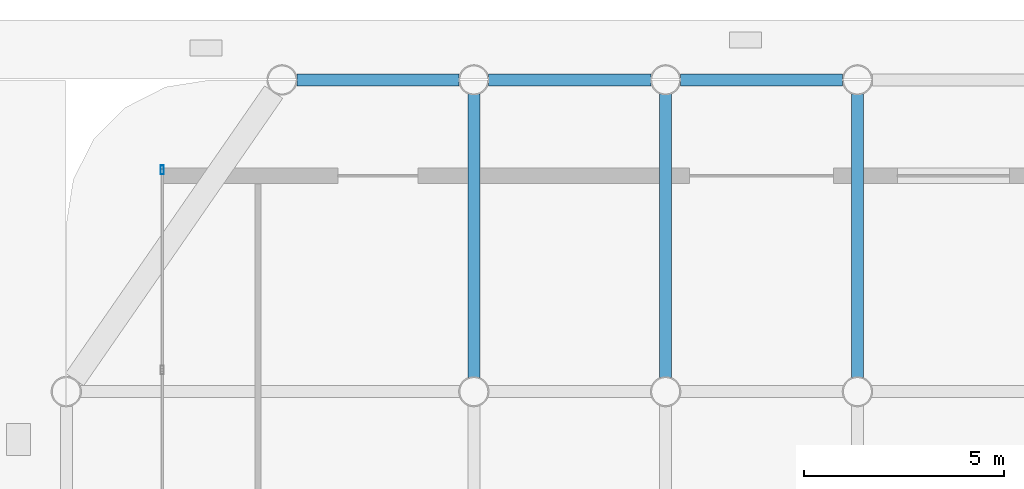
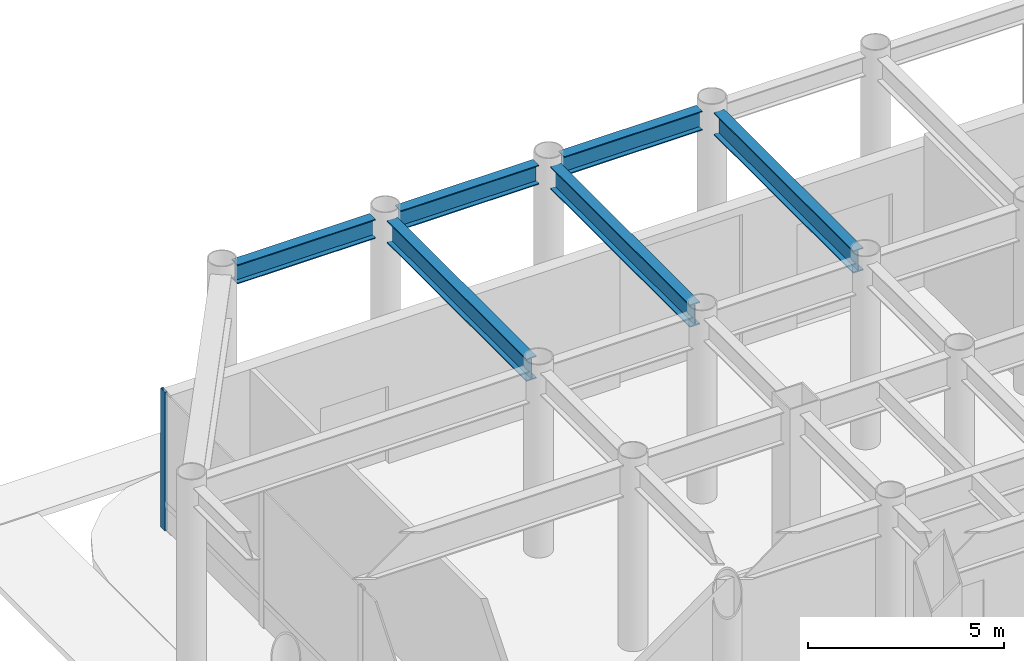
# One storey, part 12 of 23: 6 beams, 1 member, 1 element without a shape of its own.
"""IFC4 building model written with IfcOpenShell, lengths in metres."""

from ifc_helpers import new_model, si_unit, direction, frame, origin, origin_2d, place, context, subcontext, project, spatial, hollow_rectangle, i_section, extrude, material, layer, layer_set, material_profile, profile_set, type_object, element, aggregate, save


model = new_model("IFC4")

# Units and contexts
model_context = context("Model", 3, precision=1e-05, world=origin(), true_north=direction((0.0, 1.0)))
body_context = subcontext(model_context, "Body", "Model", "MODEL_VIEW")
ifc_project = project(units=[si_unit("LENGTHUNIT", "METRE"), si_unit("AREAUNIT", "SQUARE_METRE"), si_unit("VOLUMEUNIT", "CUBIC_METRE"), si_unit("PLANEANGLEUNIT", "RADIAN"), si_unit("MASSUNIT", "GRAM", prefix="KILO")], contexts=[model_context])

# Site, building, storey
site_placement = place(None, origin())
site = spatial("IfcSite", under=ifc_project, at=site_placement, CompositionType="ELEMENT")
building_placement = place(site_placement, origin())
building = spatial("IfcBuilding", under=site, at=building_placement, Name="Kallvorn Hotel Tower", CompositionType="ELEMENT")
storey_placement = place(building_placement, origin())
storey = spatial("IfcBuildingStorey", under=building, at=storey_placement, Name="L00", CompositionType="ELEMENT", Elevation=0.0)

# Beams
ifc_material_1 = material(Name="Structural steel S355JR", Category="steel")
ifc_material_profile_1 = material_profile(ifc_material_1, i_section(OverallWidth=0.300048828125, OverallDepth=0.60009765625, WebThickness=0.015380859375, FlangeThickness=0.030029296875, at=origin_2d()), Name="HE 600 B")
ifc_profile_set_1 = profile_set([ifc_material_profile_1], Name="Structural steel S355JR")
beam_type_1 = type_object("IfcBeamType", Name="BM_HE600B", PredefinedType="SPANDREL", material=ifc_profile_set_1)
beam_placement = place(storey_placement, frame((-33.22900390625, 27.0, 5.449951171875), z_axis=(1.0, 0.0, 0.0), x_axis=(0.0, 1.0, 0.0)))
element("IfcBeam", 1, at=beam_placement, inside=storey, type_object=beam_type_1, Name="L01 Perimeter Spandrel 186", PredefinedType="SPANDREL", context=body_context, shape_type="SweptSolid", body=[
    extrude(i_section(OverallWidth=0.300048828125, OverallDepth=0.60009765625, WebThickness=0.015380859375, FlangeThickness=0.030029296875, at=origin_2d()), origin(), (0.0, 0.0, 1.0), 4.05810546875),
])
for number, where, z_axis, x_axis, name in (
    (2, (-28.428955078125, 27.0, 5.449951171875), (1.0, 0.0, 0.0), (0.0, 1.0, 0.0), "L01 Perimeter Spandrel 187"),
    (3, (-23.62890625, 27.0, 5.449951171875), (1.0, 0.0, 0.0), (0.0, 1.0, 0.0), "L01 Perimeter Spandrel 188"),
):
    element("IfcBeam", number, at=place(storey_placement, frame(where, z_axis=z_axis, x_axis=x_axis)), inside=storey, type_object=beam_type_1, Name=name, PredefinedType="SPANDREL", context=body_context, shape_type="SweptSolid", body=[
        extrude(i_section(OverallWidth=0.300048828125, OverallDepth=0.60009765625, WebThickness=0.015380859375, FlangeThickness=0.030029296875, at=origin_2d()), origin(), (0.0, 0.0, 1.0), 4.057861328125),
    ])
ifc_material_2 = material(Name="Structural steel S355JR", Category="steel")
ifc_material_profile_2 = material_profile(ifc_material_2, i_section(OverallWidth=0.300048828125, OverallDepth=0.699951171875, WebThickness=0.01708984375, FlangeThickness=0.031982421875, at=origin_2d()), Name="HE 700 B")
ifc_profile_set_2 = profile_set([ifc_material_profile_2], Name="Structural steel S355JR")
beam_type_2 = type_object("IfcBeamType", Name="BM_HE700B", PredefinedType="BEAM", material=ifc_profile_set_2)
for number, where, z_axis, x_axis, name in (
    (4, (-28.800048828125, 19.555908203125, 5.39990234375), (0.0, 1.0, 0.0), (-1.0, 0.0, 0.0), "L01 Primary Y-Girder 89"),
    (5, (-24.0, 19.555908203125, 5.39990234375), (0.0, 1.0, 0.0), (-1.0, 0.0, 0.0), "L01 Primary Y-Girder 97"),
    (6, (-19.199951171875, 19.555908203125, 5.39990234375), (0.0, 1.0, 0.0), (-1.0, 0.0, 0.0), "L01 Primary Y-Girder 107"),
):
    element("IfcBeam", number, at=place(storey_placement, frame(where, z_axis=z_axis, x_axis=x_axis)), inside=storey, type_object=beam_type_2, Name=name, PredefinedType="BEAM", context=body_context, shape_type="SweptSolid", body=[
        extrude(i_section(OverallWidth=0.300048828125, OverallDepth=0.699951171875, WebThickness=0.01708984375, FlangeThickness=0.031982421875, at=origin_2d()), origin(), (0.0, 0.0, 1.0), 7.088134765625),
    ])

# Curtain wall, member
ifc_material_3 = material(Name="Thermally broken black-anodised aluminium AA 6063-T6", Category="aluminium")
ifc_layer = layer(ifc_material_3, 0.239990234375)
ifc_layer_set = layer_set([ifc_layer], Name="CW_SYS_1_PODIUM_LOW")
curtain_wall_type = type_object("IfcCurtainWallType", Name="CW_SYS_1_PODIUM_LOW", PredefinedType="USERDEFINED", material=ifc_layer_set)
curtain_wall_placement = place(storey_placement, origin())
curtain_wall = element("IfcCurtainWall", 7, at=curtain_wall_placement, inside=storey, type_object=curtain_wall_type, Name="L00 Dark-Glass Curtain Wall CW-L00-W2", ObjectType="UNITISED CURTAIN WALL", PredefinedType="USERDEFINED")
ifc_material_4 = material(Name="Thermally broken black-anodised aluminium AA 6063-T6", Category="aluminium")
ifc_material_profile_3 = material_profile(ifc_material_4, hollow_rectangle(XDim=0.080078125, YDim=0.219970703125, WallThickness=0.0048828125, at=origin_2d()), Name="MUL 220x80")
ifc_profile_set_3 = profile_set([ifc_material_profile_3], Name="Thermally broken black-anodised aluminium AA 6063-T6")
member_type = type_object("IfcMemberType", Name="CW_MULLION_220x80", PredefinedType="MULLION", material=ifc_profile_set_3)
member_placement = place(storey_placement, frame((-36.60009765625, 24.75, 0.02001953125), z_axis=(0.0, 0.0, 1.0), x_axis=(1.0, 0.0, 0.0)))
member = element("IfcMember", 8, at=member_placement, type_object=member_type, Name="CW-L00-W2 Mullion 03", PredefinedType="MULLION", context=body_context, shape_type="SweptSolid", body=[
    extrude(hollow_rectangle(XDim=0.080078125, YDim=0.219970703125, WallThickness=0.0048828125, at=origin_2d()), origin(), (0.0, 0.0, 1.0), 4.31005859375),
])
aggregate(curtain_wall, [member])

save(model, "model.ifc")
